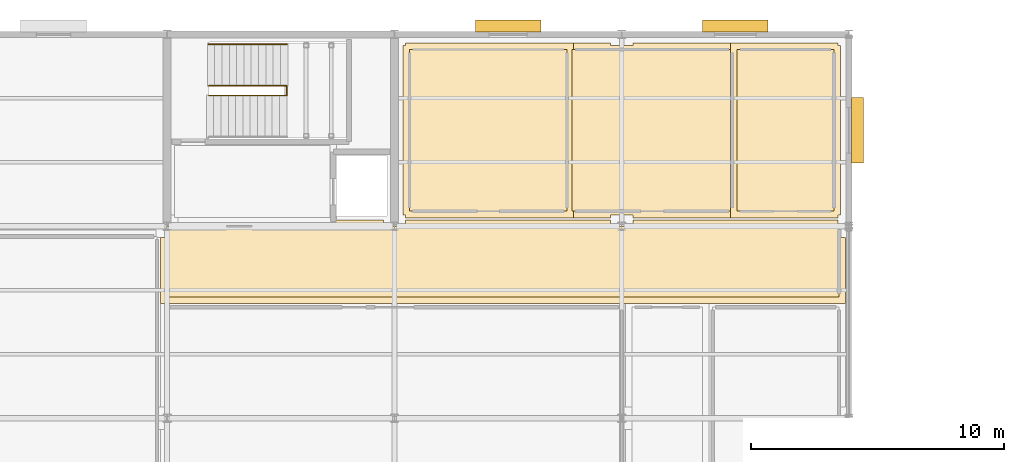
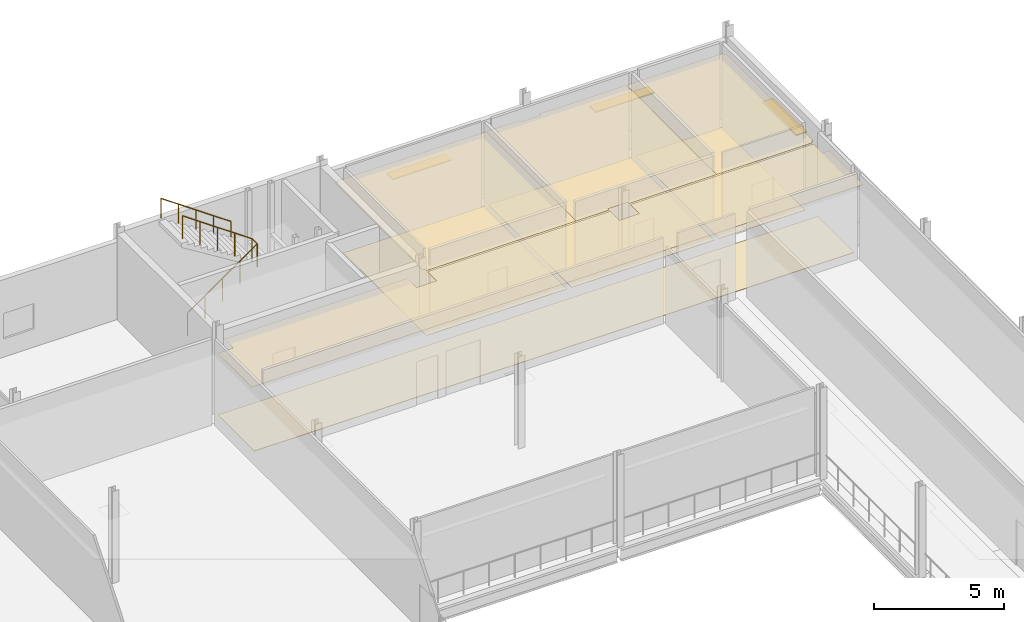
# One storey, part 166 of 166: 8 coverings, 3 shading devices, 2 railings.
"""IFC4 building model written with IfcOpenShell, lengths in metres."""

from ifc_helpers import new_model, si_unit, direction, frame, origin, origin_2d, place, context, subcontext, project, spatial, polyline, rectangle, circle, outline, extrude, material, layer, layer_set, type_object, element, save


model = new_model("IFC4")

# Units and contexts
model_context = context("Model", 3, precision=1e-05, world=origin(), true_north=direction((0.0, 1.0)))
body_context = subcontext(model_context, "Body", "Model", "MODEL_VIEW")
ifc_project = project(units=[si_unit("LENGTHUNIT", "METRE"), si_unit("AREAUNIT", "SQUARE_METRE"), si_unit("VOLUMEUNIT", "CUBIC_METRE"), si_unit("PLANEANGLEUNIT", "RADIAN"), si_unit("MASSUNIT", "GRAM", prefix="KILO")], contexts=[model_context])

# Site, building, storey
site_placement = place(None, origin())
site = spatial("IfcSite", under=ifc_project, at=site_placement, CompositionType="ELEMENT")
building_placement = place(site_placement, origin())
building = spatial("IfcBuilding", under=site, at=building_placement, Name="Caisbarro Railhouse Central Library", CompositionType="ELEMENT")
storey_placement = place(building_placement, frame((0.0, 0.0, 9.360107421875)))
storey = spatial("IfcBuildingStorey", under=building, at=storey_placement, Name="L02", CompositionType="ELEMENT", Elevation=9.360107421875)

# Coverings
ifc_material_1 = material(Name="Perforated mineral-fibre acoustic ceiling tile")
ifc_layer_1 = layer(ifc_material_1, 0.01806640625, Name="Perforated mineral-fibre acoustic ceiling tile")
ifc_layer_set_1 = layer_set([ifc_layer_1], Name="Perforated mineral-fibre acoustic ceiling tile")
covering_type_1 = type_object("IfcCoveringType", Name="COV-CL01", PredefinedType="CEILING", material=ifc_layer_set_1)
covering_1_placement = place(storey_placement, frame((0.0, 0.0, 3.25)))
element("IfcCovering", 1, at=covering_1_placement, inside=storey, type_object=covering_type_1, Name="CL01 acoustic ceiling Atrium North WC Corridor L02", PredefinedType="CEILING", context=body_context, shape_type="SweptSolid", body=[
    extrude(outline(polyline([(134.56005859375, 106.659912109375), (134.56005859375, 105.9599609375), (135.43994140625, 105.9599609375), (135.43994140625, 106.659912109375), (143.56005859375, 106.659912109375), (143.56005859375, 105.9599609375), (144.43994140625, 105.9599609375), (144.43994140625, 106.659912109375), (152.56005859375, 106.659912109375), (152.56005859375, 105.9599609375), (152.860107421875, 105.9599609375), (152.860107421875, 103.340087890625), (125.739990234375, 103.340087890625), (125.739990234375, 105.9599609375), (126.43994140625, 105.9599609375), (126.43994140625, 106.659912109375), (134.56005859375, 106.659912109375)])), origin(), (0.0, 0.0, 1.0), 0.017822265625),
])
covering_2_placement = place(storey_placement, frame((0.0, 0.0, 3.25)))
element("IfcCovering", 2, at=covering_2_placement, inside=storey, type_object=covering_type_1, Name="CL01 acoustic ceiling Male WC L02-V4", PredefinedType="CEILING", context=body_context, shape_type="SweptSolid", body=[
    extrude(outline(polyline([(142.095947265625, 113.659912109375), (142.095947265625, 106.739990234375), (135.43994140625, 106.739990234375), (135.43994140625, 106.840087890625), (135.340087890625, 106.840087890625), (135.340087890625, 113.56005859375), (135.43994140625, 113.56005859375), (135.43994140625, 113.659912109375), (142.095947265625, 113.659912109375)])), origin(), (0.0, 0.0, 1.0), 0.017822265625),
])
covering_3_placement = place(storey_placement, frame((0.0, 0.0, 3.25)))
element("IfcCovering", 3, at=covering_3_placement, inside=storey, type_object=covering_type_1, Name="CL01 acoustic ceiling Female WC L02-V4", PredefinedType="CEILING", context=body_context, shape_type="SweptSolid", body=[
    extrude(outline(polyline([(143.56005859375, 113.659912109375), (143.56005859375, 113.56005859375), (144.43994140625, 113.56005859375), (144.43994140625, 113.659912109375), (148.632080078125, 113.659912109375), (148.632080078125, 106.739990234375), (144.43994140625, 106.739990234375), (144.43994140625, 106.840087890625), (143.56005859375, 106.840087890625), (143.56005859375, 106.739990234375), (141.77587890625, 106.739990234375), (141.77587890625, 113.659912109375), (143.56005859375, 113.659912109375)])), origin(), (0.0, 0.0, 1.0), 0.017822265625),
])
covering_4_placement = place(storey_placement, frame((0.0, 0.0, 3.25)))
element("IfcCovering", 4, at=covering_4_placement, inside=storey, type_object=covering_type_1, Name="CL01 acoustic ceiling Accessible WC L02-V4", PredefinedType="CEILING", context=body_context, shape_type="SweptSolid", body=[
    extrude(outline(polyline([(152.56005859375, 113.659912109375), (152.56005859375, 113.56005859375), (152.659912109375, 113.56005859375), (152.659912109375, 106.840087890625), (152.56005859375, 106.840087890625), (152.56005859375, 106.739990234375), (148.31201171875, 106.739990234375), (148.31201171875, 113.659912109375), (152.56005859375, 113.659912109375)])), origin(), (0.0, 0.0, 1.0), 0.017822265625),
])
ifc_material_2 = material(Name="Polished cementitious terrazzo flooring")
ifc_layer_2 = layer(ifc_material_2, 0.02197265625, Name="Polished cementitious terrazzo flooring")
ifc_layer_set_2 = layer_set([ifc_layer_2], Name="Polished cementitious terrazzo flooring")
covering_type_2 = type_object("IfcCoveringType", Name="COV-FL01", PredefinedType="FLOORING", material=ifc_layer_set_2)
covering_5_placement = place(storey_placement, origin())
element("IfcCovering", 5, at=covering_5_placement, inside=storey, type_object=covering_type_2, Name="FL01 flooring Atrium North WC Corridor L02", PredefinedType="FLOORING", context=body_context, shape_type="SweptSolid", body=[
    extrude(outline(polyline([(126.0, 103.60009765625), (152.60009765625, 103.60009765625), (152.60009765625, 106.39990234375), (126.0, 106.39990234375), (126.0, 103.60009765625)])), origin(), (0.0, 0.0, 1.0), 0.02197265625),
])
ifc_material_3 = material(Name="Heavy-duty acoustic linoleum flooring")
ifc_layer_3 = layer(ifc_material_3, 0.011962890625, Name="Heavy-duty acoustic linoleum flooring")
ifc_layer_set_3 = layer_set([ifc_layer_3], Name="Heavy-duty acoustic linoleum flooring")
covering_type_3 = type_object("IfcCoveringType", Name="COV-FL02", PredefinedType="FLOORING", material=ifc_layer_set_3)
covering_6_placement = place(storey_placement, origin())
element("IfcCovering", 6, at=covering_6_placement, inside=storey, type_object=covering_type_3, Name="FL02 flooring Male WC L02-V4", PredefinedType="FLOORING", context=body_context, shape_type="SweptSolid", body=[
    extrude(outline(polyline([(135.60009765625, 107.0), (141.8359375, 107.0), (141.8359375, 113.39990234375), (135.60009765625, 113.39990234375), (135.60009765625, 107.0)])), origin(), (0.0, 0.0, 1.0), 0.011962890625),
])
covering_7_placement = place(storey_placement, origin())
element("IfcCovering", 7, at=covering_7_placement, inside=storey, type_object=covering_type_3, Name="FL02 flooring Female WC L02-V4", PredefinedType="FLOORING", context=body_context, shape_type="SweptSolid", body=[
    extrude(outline(polyline([(142.035888671875, 107.0), (148.3720703125, 107.0), (148.3720703125, 113.39990234375), (142.035888671875, 113.39990234375), (142.035888671875, 107.0)])), origin(), (0.0, 0.0, 1.0), 0.011962890625),
])
covering_8_placement = place(storey_placement, origin())
element("IfcCovering", 8, at=covering_8_placement, inside=storey, type_object=covering_type_3, Name="FL02 flooring Accessible WC L02-V4", PredefinedType="FLOORING", context=body_context, shape_type="SweptSolid", body=[
    extrude(outline(polyline([(148.572021484375, 107.0), (152.39990234375, 107.0), (152.39990234375, 113.39990234375), (148.572021484375, 113.39990234375), (148.572021484375, 107.0)])), origin(), (0.0, 0.0, 1.0), 0.011962890625),
])

# Railings
ifc_material_4 = material(Name="Brushed stainless steel Grade 316", Category="steel")
railing_type_1 = type_object("IfcRailingType", Name="RLG-STR092", PredefinedType="HANDRAIL", material=ifc_material_4)
railing_1_placement = place(storey_placement, frame((130.739990234375, 113.610107421875, 2.159912109375)))
element("IfcRailing", 9, at=railing_1_placement, inside=storey, type_object=railing_type_1, Name="Stair ST-03 Outer Handrail F2 L02", PredefinedType="HANDRAIL", context=body_context, shape_type="SweptSolid", body=[
    extrude(circle(Radius=0.02392578125, at=origin_2d()), frame((0.0, 0.0, 0.89599609375), z_axis=(-0.819624179701, 0.0, 0.572901565759), x_axis=(0.0, -1.0, 0.0)), (0.0, 0.0, 1.0), 3.77001953125),
    extrude(circle(Radius=0.02099609375, at=origin_2d()), origin(), (0.0, 0.0, 1.0), 0.871826171875),
    extrude(circle(Radius=0.02099609375, at=origin_2d()), frame((-0.7724609375, 0.0, 0.5400390625)), (0.0, 0.0, 1.0), 0.871826171875),
    extrude(circle(Radius=0.02099609375, at=origin_2d()), frame((-1.544921875, 0.0, 1.080078125)), (0.0, 0.0, 1.0), 0.871826171875),
    extrude(circle(Radius=0.02099609375, at=origin_2d()), frame((-2.317626953125, 0.0, 1.619873046875)), (0.0, 0.0, 1.0), 0.871826171875),
    extrude(circle(Radius=0.02099609375, at=origin_2d()), frame((-3.090087890625, 0.0, 2.159912109375)), (0.0, 0.0, 1.0), 0.871826171875),
])
railing_type_2 = type_object("IfcRailingType", Name="RLG-STR110", PredefinedType="GUARDRAIL", material=ifc_material_4)
railing_2_placement = place(storey_placement, frame((127.64990234375, 111.580078125, 0.0)))
element("IfcRailing", 10, at=railing_2_placement, inside=storey, type_object=railing_type_2, Name="Stair ST-03 Inner Well Guardrail L02", PredefinedType="GUARDRAIL", context=body_context, shape_type="SweptSolid", body=[
    extrude(circle(Radius=0.02392578125, at=origin_2d()), frame((0.0, 0.0, 1.076171875), z_axis=(0.819624179701, 0.0, 0.572901565759), x_axis=(0.0, 1.0, 0.0)), (0.0, 0.0, 1.0), 3.77001953125),
    extrude(circle(Radius=0.02392578125, at=origin_2d()), frame((3.090087890625, 0.0, 3.23583984375), z_axis=(0.0, 1.0, 0.0), x_axis=(-1.0, 0.0, 0.0)), (0.0, 0.0, 1.0), 0.389892578125),
    extrude(circle(Radius=0.02392578125, at=origin_2d()), frame((3.090087890625, 0.389892578125, 3.23583984375), z_axis=(-0.819624179701, 0.0, 0.572901565759), x_axis=(0.0, -1.0, 0.0)), (0.0, 0.0, 1.0), 3.77001953125),
    extrude(circle(Radius=0.02099609375, at=origin_2d()), origin(), (0.0, 0.0, 1.0), 1.052001953125),
    extrude(circle(Radius=0.02099609375, at=origin_2d()), frame((0.7724609375, 0.0, 0.5400390625)), (0.0, 0.0, 1.0), 1.052001953125),
    extrude(circle(Radius=0.02099609375, at=origin_2d()), frame((1.544921875, 0.0, 1.080078125)), (0.0, 0.0, 1.0), 1.052001953125),
    extrude(circle(Radius=0.02099609375, at=origin_2d()), frame((2.317626953125, 0.0, 1.619873046875)), (0.0, 0.0, 1.0), 1.052001953125),
    extrude(circle(Radius=0.02099609375, at=origin_2d()), frame((3.090087890625, 0.0, 2.159912109375)), (0.0, 0.0, 1.0), 1.052001953125),
    extrude(circle(Radius=0.02099609375, at=origin_2d()), frame((3.090087890625, 0.389892578125, 2.159912109375)), (0.0, 0.0, 1.0), 1.052001953125),
    extrude(circle(Radius=0.02099609375, at=origin_2d()), frame((2.317626953125, 0.389892578125, 2.699951171875)), (0.0, 0.0, 1.0), 1.052001953125),
    extrude(circle(Radius=0.02099609375, at=origin_2d()), frame((1.544921875, 0.389892578125, 3.23974609375)), (0.0, 0.0, 1.0), 1.052001953125),
    extrude(circle(Radius=0.02099609375, at=origin_2d()), frame((0.7724609375, 0.389892578125, 3.77978515625)), (0.0, 0.0, 1.0), 1.052001953125),
    extrude(circle(Radius=0.02099609375, at=origin_2d()), frame((0.0, 0.389892578125, 4.31982421875)), (0.0, 0.0, 1.0), 1.052001953125),
])

# Shading devices
ifc_material_5 = material(Name="Anodised architectural aluminium", Category="aluminium")
ifc_layer_4 = layer(ifc_material_5, 0.050048828125, Name="Anodised architectural aluminium")
ifc_layer_set_4 = layer_set([ifc_layer_4], Name="Anodised architectural aluminium")
shading_device_type = type_object("IfcShadingDeviceType", Name="SHD-JAL01", PredefinedType="JALOUSIE", material=ifc_layer_set_4)
for number, where, z_axis, x_axis, name in (
    (11, (139.5, 114.330078125, 2.0849609375), (0.0, 0.0, 1.0), (1.0, 0.0, 0.0), "JL01 solar brise-soleil L02-33"),
    (12, (148.5, 114.330078125, 2.0849609375), (0.0, 0.0, 1.0), (1.0, 0.0, 0.0), "JL01 solar brise-soleil L02-34"),
    (13, (153.330078125, 110.199951171875, 2.0849609375), (0.0, 0.0, 1.0), (0.0, 1.0, 0.0), "JL01 solar brise-soleil L02-35"),
):
    element("IfcShadingDevice", number, at=place(storey_placement, frame(where, z_axis=z_axis, x_axis=x_axis)), inside=storey, type_object=shading_device_type, Name=name, PredefinedType="JALOUSIE", context=body_context, shape_type="SweptSolid", body=[
        extrude(rectangle(XDim=2.60009765625, YDim=0.47998046875, at=origin_2d()), origin(), (0.0, 0.0, 1.0), 0.050048828125),
    ])

save(model, "model.ifc")
